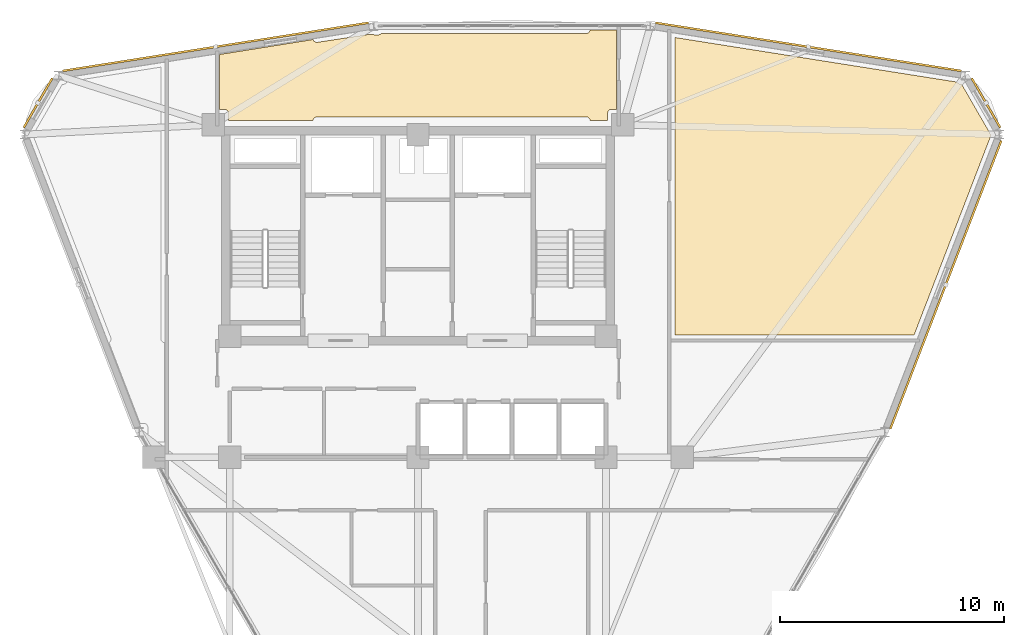
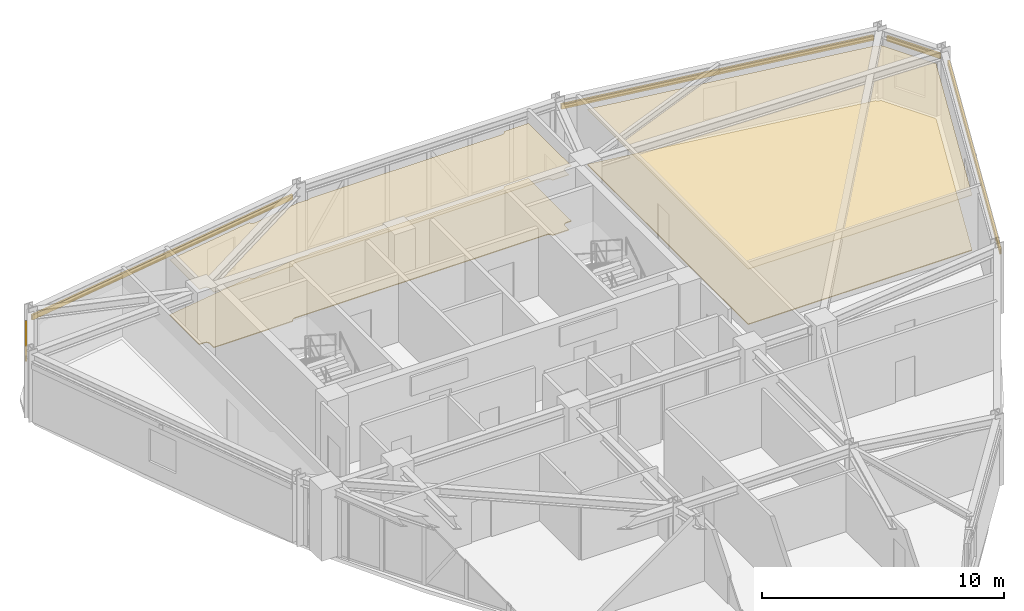
# One storey, part 18 of 18: 5 shading devices, 4 coverings.
"""IFC4 building model written with IfcOpenShell, lengths in metres."""

from ifc_helpers import new_model, si_unit, derived_unit, direction, frame, origin, origin_2d, place, context, subcontext, project, spatial, polyline, hollow_rectangle, outline, extrude, source, transform, mapped, material, layer, layer_set, material_profile, profile_set, type_object, element, save


model = new_model("IFC4")

# Units and contexts
model_context = context("Model", 3, precision=1e-05, world=origin(), true_north=direction((0.0, 1.0)))
body_context = subcontext(model_context, "Body", "Model", "MODEL_VIEW")
ifc_project = project(units=[si_unit("LENGTHUNIT", "METRE"), si_unit("AREAUNIT", "SQUARE_METRE"), si_unit("VOLUMEUNIT", "CUBIC_METRE"), si_unit("PLANEANGLEUNIT", "RADIAN"), si_unit("MASSUNIT", "GRAM", prefix="KILO"), derived_unit("THERMALTRANSMITTANCEUNIT", [(si_unit("POWERUNIT", "WATT"), 1), (si_unit("LENGTHUNIT", "METRE"), -2), (si_unit("THERMODYNAMICTEMPERATUREUNIT", "KELVIN"), -1)])], contexts=[model_context])

# Site, building, storey
site_placement = place(None, origin())
site = spatial("IfcSite", under=ifc_project, at=site_placement, CompositionType="ELEMENT")
building_placement = place(site_placement, origin())
building = spatial("IfcBuilding", under=site, at=building_placement, Name="Korsvarv Bourse and Concert Hall", CompositionType="ELEMENT")
storey_placement = place(building_placement, frame((0.0, 0.0, 209.39990234375)))
storey = spatial("IfcBuildingStorey", under=building, at=storey_placement, Name="L54", CompositionType="ELEMENT", Elevation=209.39990234375)

# Coverings
ifc_material_1 = material(Name="Perforated mineral-wool and birch acoustic baffle ceiling", Category="wood")
ifc_layer_1 = layer(ifc_material_1, 0.02490234375)
ifc_layer_set_1 = layer_set([ifc_layer_1], Name="Perforated mineral-wool and birch acoustic baffle ceiling")
covering_type_1 = type_object("IfcCoveringType", Name="COV-CEIL-1", PredefinedType="CEILING", material=ifc_layer_set_1)
covering_1_placement = place(storey_placement, frame((0.0, 0.0, 2.7900390625)))
element("IfcCovering", 1, at=covering_1_placement, inside=storey, type_object=covering_type_1, Name="L54 acoustic baffle ceiling 1", PredefinedType="CEILING", context=body_context, shape_type="SweptSolid", body=[
    extrude(outline(polyline([(60.077392578125, 49.1533203125), (60.097900390625, 49.12353515625), (60.123779296875, 49.098388671875), (60.154296875, 49.0791015625), (60.18798828125, 49.066162109375), (60.223388671875, 49.060302734375), (60.281494140625, 49.056396484375), (61.5771484375, 46.81201171875), (61.5771484375, 46.737060546875), (58.1552734375, 37.85009765625), (47.47998046875, 37.85009765625), (47.47998046875, 51.14404296875), (60.077392578125, 49.1533203125)])), origin(), (0.0, 0.0, 1.0), 0.025146484375),
])
covering_2_placement = place(storey_placement, frame((0.0, 0.0, 2.7900390625)))
element("IfcCovering", 2, at=covering_2_placement, inside=storey, type_object=covering_type_1, Name="L54 acoustic baffle ceiling 2", PredefinedType="CEILING", context=body_context, shape_type="SweptSolid", body=[
    extrude(outline(polyline([(31.315185546875, 51.053466796875), (31.32421875, 51.02978515625), (31.342529296875, 50.999267578125), (31.366455078125, 50.972900390625), (31.39501953125, 50.951904296875), (31.427001953125, 50.936767578125), (31.46142578125, 50.92822265625), (31.4970703125, 50.9267578125), (33.7646484375, 51.277099609375), (33.79052734375, 51.27197265625), (34.22314453125, 51.263671875), (34.259521484375, 51.266845703125), (34.29443359375, 51.277099609375), (34.326416015625, 51.294189453125), (34.3544921875, 51.3173828125), (43.510009765625, 51.32177734375), (43.546142578125, 51.325439453125), (43.5810546875, 51.336181640625), (43.61279296875, 51.35400390625), (43.640380859375, 51.377685546875), (43.66259765625, 51.406494140625), (43.6787109375, 51.439208984375), (43.68798828125, 51.474365234375), (44.8701171875, 51.481689453125), (44.8701171875, 47.93994140625), (44.64990234375, 47.93994140625), (44.615234375, 47.9365234375), (44.581787109375, 47.926513671875), (44.551025390625, 47.910400390625), (44.52392578125, 47.888427734375), (44.501708984375, 47.86181640625), (44.48486328125, 47.831298828125), (44.47412109375, 47.798095703125), (44.469970703125, 47.763671875), (44.463623046875, 47.43994140625), (43.688720703125, 47.43994140625), (43.68408203125, 47.465087890625), (43.671630859375, 47.499267578125), (43.65234375, 47.5302734375), (43.627197265625, 47.556640625), (43.597412109375, 47.577392578125), (43.56396484375, 47.591796875), (43.5283203125, 47.59912109375), (31.489990234375, 47.60009765625), (31.453857421875, 47.59619140625), (31.4189453125, 47.58544921875), (31.38720703125, 47.567626953125), (31.359619140625, 47.5439453125), (31.33740234375, 47.51513671875), (31.3212890625, 47.482421875), (31.31201171875, 47.447265625), (27.5400390625, 47.43994140625), (27.5400390625, 47.75), (27.53662109375, 47.78466796875), (27.526611328125, 47.81787109375), (27.510498046875, 47.8486328125), (27.48876953125, 47.875732421875), (27.46240234375, 47.898193359375), (27.431884765625, 47.9150390625), (27.39892578125, 47.92578125), (27.364501953125, 47.929931640625), (27.1298828125, 47.935791015625), (27.1298828125, 50.384521484375), (31.315185546875, 51.053466796875)])), origin(), (0.0, 0.0, 1.0), 0.025146484375),
])
ifc_material_2 = material(Name="Calcium-sulphate raised access trading floor with Nordic oak top", Category="wood")
ifc_layer_2 = layer(ifc_material_2, 0.0400390625)
ifc_layer_set_2 = layer_set([ifc_layer_2], Name="Calcium-sulphate raised access trading floor with Nordic oak top")
covering_type_2 = type_object("IfcCoveringType", Name="COV-FLOR-1", PredefinedType="FLOORING", material=ifc_layer_set_2)
covering_3_placement = place(storey_placement, origin())
element("IfcCovering", 3, at=covering_3_placement, inside=storey, type_object=covering_type_2, Name="L54 raised access oak floor finish 1", PredefinedType="FLOORING", context=body_context, shape_type="SweptSolid", body=[
    extrude(outline(polyline([(60.077392578125, 49.1533203125), (60.097900390625, 49.12353515625), (60.123779296875, 49.098388671875), (60.154296875, 49.0791015625), (60.18798828125, 49.066162109375), (60.223388671875, 49.060302734375), (60.281494140625, 49.056396484375), (61.5771484375, 46.81201171875), (61.5771484375, 46.737060546875), (58.1552734375, 37.85009765625), (47.47998046875, 37.85009765625), (47.47998046875, 51.14404296875), (60.077392578125, 49.1533203125)])), origin(), (0.0, 0.0, 1.0), 0.0400390625),
])
covering_4_placement = place(storey_placement, origin())
element("IfcCovering", 4, at=covering_4_placement, inside=storey, type_object=covering_type_2, Name="L54 raised access oak floor finish 2", PredefinedType="FLOORING", context=body_context, shape_type="SweptSolid", body=[
    extrude(outline(polyline([(31.315185546875, 51.053466796875), (31.32421875, 51.02978515625), (31.342529296875, 50.999267578125), (31.366455078125, 50.972900390625), (31.39501953125, 50.951904296875), (31.427001953125, 50.936767578125), (31.46142578125, 50.92822265625), (31.4970703125, 50.9267578125), (33.7646484375, 51.277099609375), (33.79052734375, 51.27197265625), (34.22314453125, 51.263671875), (34.259521484375, 51.266845703125), (34.29443359375, 51.277099609375), (34.326416015625, 51.294189453125), (34.3544921875, 51.3173828125), (43.510009765625, 51.32177734375), (43.546142578125, 51.325439453125), (43.5810546875, 51.336181640625), (43.61279296875, 51.35400390625), (43.640380859375, 51.377685546875), (43.66259765625, 51.406494140625), (43.6787109375, 51.439208984375), (43.68798828125, 51.474365234375), (44.8701171875, 51.481689453125), (44.8701171875, 47.93994140625), (44.64990234375, 47.93994140625), (44.615234375, 47.9365234375), (44.581787109375, 47.926513671875), (44.551025390625, 47.910400390625), (44.52392578125, 47.888427734375), (44.501708984375, 47.86181640625), (44.48486328125, 47.831298828125), (44.47412109375, 47.798095703125), (44.469970703125, 47.763671875), (44.463623046875, 47.43994140625), (43.688720703125, 47.43994140625), (43.68408203125, 47.465087890625), (43.671630859375, 47.499267578125), (43.65234375, 47.5302734375), (43.627197265625, 47.556640625), (43.597412109375, 47.577392578125), (43.56396484375, 47.591796875), (43.5283203125, 47.59912109375), (31.489990234375, 47.60009765625), (31.453857421875, 47.59619140625), (31.4189453125, 47.58544921875), (31.38720703125, 47.567626953125), (31.359619140625, 47.5439453125), (31.33740234375, 47.51513671875), (31.3212890625, 47.482421875), (31.31201171875, 47.447265625), (27.5400390625, 47.43994140625), (27.5400390625, 47.75), (27.53662109375, 47.78466796875), (27.526611328125, 47.81787109375), (27.510498046875, 47.8486328125), (27.48876953125, 47.875732421875), (27.46240234375, 47.898193359375), (27.431884765625, 47.9150390625), (27.39892578125, 47.92578125), (27.364501953125, 47.929931640625), (27.1298828125, 47.935791015625), (27.1298828125, 50.384521484375), (31.315185546875, 51.053466796875)])), origin(), (0.0, 0.0, 1.0), 0.0400390625),
])

# Shading devices
ifc_material_3 = material(Name="Glazed extruded architectural terracotta", Category="ceramic")
ifc_material_profile = material_profile(ifc_material_3, hollow_rectangle(XDim=0.090087890625, YDim=0.260009765625, WallThickness=0.011962890625, at=origin_2d()), Name="TC-BAG 90x260")
ifc_profile_set = profile_set([ifc_material_profile], Name="Glazed extruded architectural terracotta")
shading_device_type = type_object("IfcShadingDeviceType", Name="SHD-BAG-1", PredefinedType="USERDEFINED", material=ifc_profile_set)
shared_shape_1 = source(origin(), body_context, "Body", "SweptSolid", [
    extrude(hollow_rectangle(XDim=0.090087890625, YDim=0.260009765625, WallThickness=0.011962890625, at=origin_2d()), origin(), (0.0, 0.0, 1.0), 2.55224609375),
])
for number, where, z_axis, x_axis, name in (
    (5, (62.00732421875, 47.116943359375, 2.860107421875), (-0.49997637333, 0.866039044219, 0.0), (-0.866039044219, -0.49997637333, 0.0), "L54 terracotta baguette sunshade EW-L54-B01"),
    (6, (19.668701171875, 49.327392578125, 2.860107421875), (-0.49997637333, -0.866039044219, 0.0), (0.866039044219, -0.49997637333, 0.0), "L54 terracotta baguette sunshade EW-L54-B05"),
):
    element("IfcShadingDevice", number, at=place(storey_placement, frame(where, z_axis=z_axis, x_axis=x_axis)), inside=storey, type_object=shading_device_type, Name=name, ObjectType="BAGUETTE", PredefinedType="USERDEFINED", context=body_context, shape_type="MappedRepresentation", body=[
        mapped(shared_shape_1, transform((0.0, 0.0, 0.0), scale=1.0)),
    ])
shared_shape_2 = source(origin(), body_context, "Body", "SweptSolid", [
    extrude(hollow_rectangle(XDim=0.090087890625, YDim=0.260009765625, WallThickness=0.011962890625, at=origin_2d()), origin(), (0.0, 0.0, 1.0), 13.823486328125),
])
shading_device_1_placement = place(storey_placement, frame((60.267333984375, 49.6533203125, 2.860107421875), z_axis=(-0.987845880807, 0.155436532941, 0.0), x_axis=(-0.155436532941, -0.987845880807, 0.0)))
element("IfcShadingDevice", 7, at=shading_device_1_placement, inside=storey, type_object=shading_device_type, Name="L54 terracotta baguette sunshade EW-L54-B02", ObjectType="BAGUETTE", PredefinedType="USERDEFINED", context=body_context, shape_type="MappedRepresentation", body=[
    mapped(shared_shape_2, transform((0.0, 0.0, 0.0), scale=1.0)),
])
shared_shape_3 = source(origin(), body_context, "Body", "SweptSolid", [
    extrude(hollow_rectangle(XDim=0.090087890625, YDim=0.260009765625, WallThickness=0.011962890625, at=origin_2d()), origin(), (0.0, 0.0, 1.0), 13.8232421875),
])
shading_device_2_placement = place(storey_placement, frame((33.7880859375, 51.802001953125, 2.800048828125), z_axis=(-0.987845454091, -0.155439244823, 0.0), x_axis=(0.155439244823, -0.987845454091, 0.0)))
element("IfcShadingDevice", 8, at=shading_device_2_placement, inside=storey, type_object=shading_device_type, Name="L54 terracotta baguette sunshade EW-L54-B04", ObjectType="BAGUETTE", PredefinedType="USERDEFINED", context=body_context, shape_type="MappedRepresentation", body=[
    mapped(shared_shape_3, transform((0.0, 0.0, 0.0), scale=1.0)),
])
shared_shape_4 = source(origin(), body_context, "Body", "SweptSolid", [
    extrude(hollow_rectangle(XDim=0.090087890625, YDim=0.260009765625, WallThickness=0.011962890625, at=origin_2d()), origin(), (0.0, 0.0, 1.0), 13.787841796875),
])
shading_device_3_placement = place(storey_placement, frame((57.09716796875, 33.66845703125, 2.860107421875), z_axis=(0.359327900146, 0.933211369507, 0.0), x_axis=(-0.933211369507, 0.359327900146, 0.0)))
element("IfcShadingDevice", 9, at=shading_device_3_placement, inside=storey, type_object=shading_device_type, Name="L54 terracotta baguette sunshade EW-L54-B12", ObjectType="BAGUETTE", PredefinedType="USERDEFINED", context=body_context, shape_type="MappedRepresentation", body=[
    mapped(shared_shape_4, transform((0.0, 0.0, 0.0), scale=1.0)),
])

save(model, "model.ifc")
